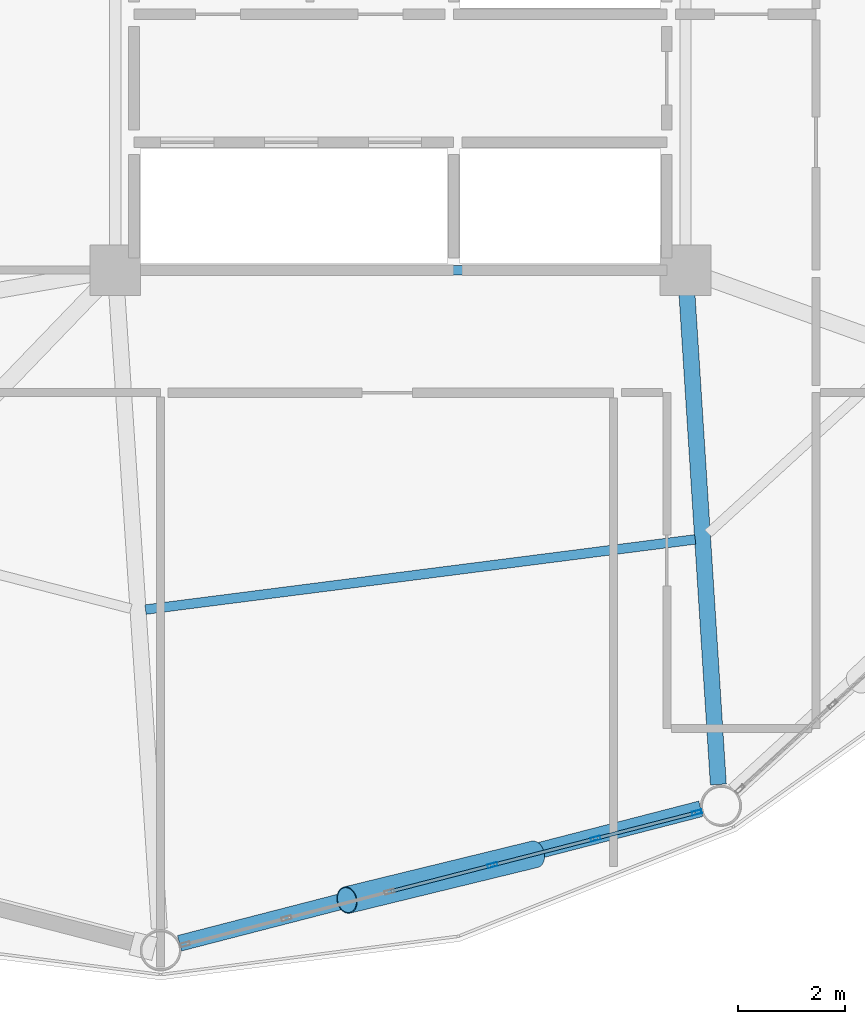
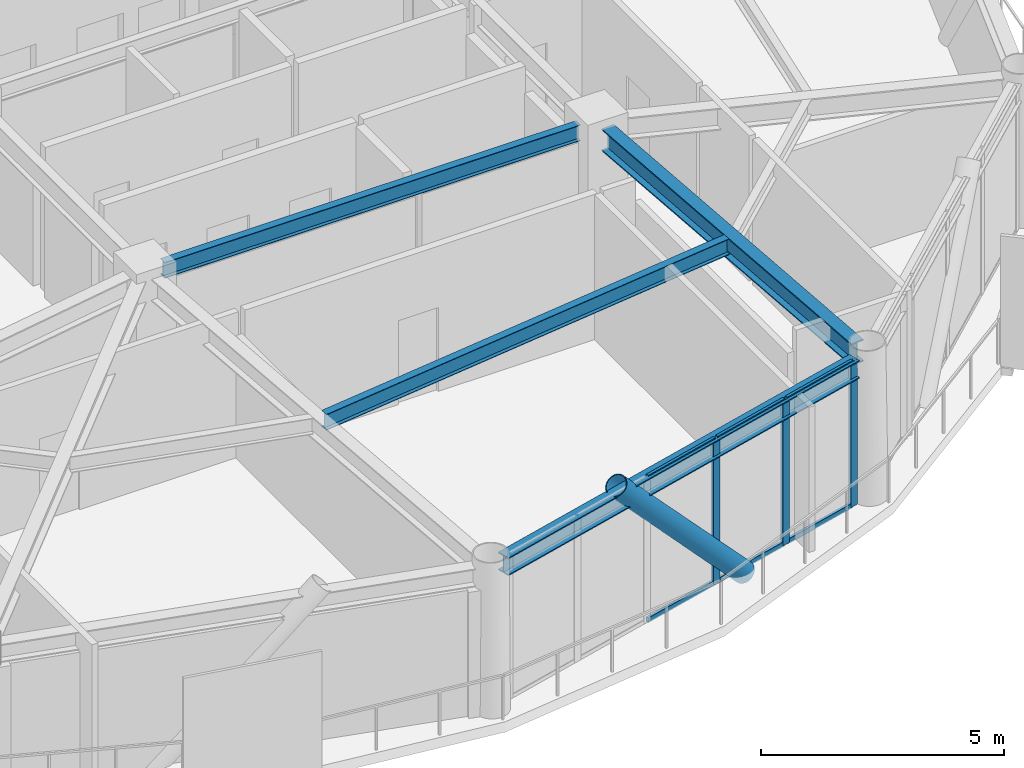
# One storey, part 7 of 25: 10 members, 4 beams, 1 element without a shape of its own.
"""IFC4 building model written with IfcOpenShell, lengths in metres."""

from ifc_helpers import new_model, si_unit, direction, frame, origin, origin_2d, place, context, subcontext, project, spatial, hollow_rectangle, hollow_circle, i_section, extrude, material, layer, layer_set, material_profile, profile_set, type_object, element, aggregate, save


model = new_model("IFC4")

# Units and contexts
model_context = context("Model", 3, precision=1e-05, world=origin(), true_north=direction((0.0, 1.0)))
body_context = subcontext(model_context, "Body", "Model", "MODEL_VIEW")
ifc_project = project(units=[si_unit("LENGTHUNIT", "METRE"), si_unit("AREAUNIT", "SQUARE_METRE"), si_unit("VOLUMEUNIT", "CUBIC_METRE"), si_unit("PLANEANGLEUNIT", "RADIAN"), si_unit("MASSUNIT", "GRAM", prefix="KILO")], contexts=[model_context])

# Site, building, storey
site_placement = place(None, origin())
site = spatial("IfcSite", under=ifc_project, at=site_placement, CompositionType="ELEMENT")
building_placement = place(site_placement, origin())
building = spatial("IfcBuilding", under=site, at=building_placement, Name="Varnakorn Sky Granary", CompositionType="ELEMENT")
storey_placement = place(building_placement, frame((0.0, 0.0, 126.60009765625)))
storey = spatial("IfcBuildingStorey", under=building, at=storey_placement, Name="L31", CompositionType="ELEMENT", Elevation=126.60009765625)

# Beams
ifc_material_1 = material(Name="Steel S355JR", Category="steel")
ifc_material_profile_1 = material_profile(ifc_material_1, i_section(OverallWidth=0.300048828125, OverallDepth=0.550048828125, WebThickness=0.014892578125, FlangeThickness=0.029052734375, at=origin_2d()), Name="HE 550 B")
ifc_profile_set_1 = profile_set([ifc_material_profile_1], Name="Steel S355JR")
beam_type_1 = type_object("IfcBeamType", Name="BM-RAD-Z3", PredefinedType="BEAM", material=ifc_profile_set_1)
beam_1_placement = place(storey_placement, frame((8.376708984375, -7.01904296875, 3.364990234375), z_axis=(0.063841584754, -0.99796004532, 0.0), x_axis=(0.99796004532, 0.063841584754, 0.0)))
element("IfcBeam", 1, at=beam_1_placement, inside=storey, type_object=beam_type_1, Name="Radial Floor Girder RG11 L31", PredefinedType="BEAM", context=body_context, shape_type="SweptSolid", body=[
    extrude(i_section(OverallWidth=0.300048828125, OverallDepth=0.550048828125, WebThickness=0.014892578125, FlangeThickness=0.029052734375, at=origin_2d()), origin(), (0.0, 0.0, 1.0), 9.25439453125),
])
ifc_material_profile_2 = material_profile(ifc_material_1, i_section(OverallWidth=0.179931640625, OverallDepth=0.39990234375, WebThickness=0.008544921875, FlangeThickness=0.013427734375, at=origin_2d()), Name="IPE 400")
ifc_profile_set_2 = profile_set([ifc_material_profile_2], Name="Steel S355JR")
beam_type_2 = type_object("IfcBeamType", Name="BM-SEC-Z3", PredefinedType="BEAM", material=ifc_profile_set_2)
beam_2_placement = place(storey_placement, frame((-1.7841796875, -12.97216796875, 3.43994140625), z_axis=(0.991943567896, 0.126680535635, 0.0), x_axis=(-0.126680535635, 0.991943567896, 0.0)))
element("IfcBeam", 2, at=beam_2_placement, inside=storey, type_object=beam_type_2, Name="Secondary Floor Chord Beam MSB10 L31", PredefinedType="BEAM", context=body_context, shape_type="SweptSolid", body=[
    extrude(i_section(OverallWidth=0.179931640625, OverallDepth=0.39990234375, WebThickness=0.008544921875, FlangeThickness=0.013427734375, at=origin_2d()), origin(), (0.0, 0.0, 1.0), 10.401123046875),
])
beam_3_placement = place(storey_placement, frame((-1.929931640625, -6.60009765625, 3.43994140625), z_axis=(1.0, 0.0, 0.0), x_axis=(0.0, 1.0, 0.0)))
element("IfcBeam", 3, at=beam_3_placement, inside=storey, type_object=beam_type_2, Name="Core Spine Framing Beam 6 L31", PredefinedType="BEAM", context=body_context, shape_type="SweptSolid", body=[
    extrude(i_section(OverallWidth=0.179931640625, OverallDepth=0.39990234375, WebThickness=0.008544921875, FlangeThickness=0.013427734375, at=origin_2d()), origin(), (0.0, 0.0, 1.0), 9.85986328125),
])
ifc_material_profile_3 = material_profile(ifc_material_1, i_section(OverallWidth=0.300048828125, OverallDepth=0.449951171875, WebThickness=0.013916015625, FlangeThickness=0.02587890625, at=origin_2d()), Name="HE 450 B")
ifc_profile_set_3 = profile_set([ifc_material_profile_3], Name="Steel S355JR")
beam_type_3 = type_object("IfcBeamType", Name="BM-SPD-Z3", PredefinedType="SPANDREL", material=ifc_profile_set_3)
beam_4_placement = place(storey_placement, frame((-1.1455078125, -19.234619140625, 3.414794921875), z_axis=(0.968301462066, 0.249784464209, 0.0), x_axis=(-0.249784464209, 0.968301462066, 0.0)))
element("IfcBeam", 4, at=beam_4_placement, inside=storey, type_object=beam_type_3, Name="Perimeter Spandrel Ring Beam RB10 L31", PredefinedType="SPANDREL", context=body_context, shape_type="SweptSolid", body=[
    extrude(i_section(OverallWidth=0.300048828125, OverallDepth=0.449951171875, WebThickness=0.013916015625, FlangeThickness=0.02587890625, at=origin_2d()), origin(), (0.0, 0.0, 1.0), 10.1025390625),
])

# Curtain wall, members
ifc_material_2 = material(Name="Anodised Bronze Aluminium Alloy 6063-T6", Category="aluminium")
ifc_layer = layer(ifc_material_2, 0.179931640625, Name="Anodised Bronze Aluminium Alloy 6063-T6")
ifc_layer_set = layer_set([ifc_layer], Name="Anodised Bronze Aluminium Alloy 6063-T6")
curtain_wall_type = type_object("IfcCurtainWallType", Name="CW-FRM-2", PredefinedType="USERDEFINED", material=ifc_layer_set)
curtain_wall_placement = place(storey_placement, origin())
curtain_wall = element("IfcCurtainWall", 5, at=curtain_wall_placement, inside=storey, type_object=curtain_wall_type, Name="Unitised Curtain Wall CW4 CW-L31-B10", ObjectType="CURTAIN WALL", PredefinedType="USERDEFINED")
ifc_material_profile_4 = material_profile(ifc_material_2, hollow_rectangle(XDim=0.070068359375, YDim=0.18505859375, WallThickness=0.00390625, at=origin_2d()), Name="ALU MULL 70x185")
ifc_profile_set_4 = profile_set([ifc_material_profile_4], Name="Anodised Bronze Aluminium Alloy 6063-T6")
member_type_1 = type_object("IfcMemberType", Name="CW-FRM-2-MULL", PredefinedType="MULLION", material=ifc_profile_set_4)
member_1_placement = place(storey_placement, frame((8.56298828125, -16.7802734375, 0.0), z_axis=(0.0, 0.0, 1.0), x_axis=(0.249579081692, -0.968354419612, 0.0)))
member_1 = element("IfcMember", 6, at=member_1_placement, type_object=member_type_1, Name="CW4 mullion 1", PredefinedType="MULLION", context=body_context, shape_type="SweptSolid", body=[
    extrude(hollow_rectangle(XDim=0.070068359375, YDim=0.18505859375, WallThickness=0.00390625, at=origin_2d()), origin(), (0.0, 0.0, 1.0), 3.639892578125),
])
member_2_placement = place(storey_placement, frame((6.6630859375, -17.27001953125, 0.0), z_axis=(0.0, 0.0, 1.0), x_axis=(0.249579081692, -0.968354419612, 0.0)))
member_2 = element("IfcMember", 7, at=member_2_placement, type_object=member_type_1, Name="CW4 mullion 2", PredefinedType="MULLION", context=body_context, shape_type="SweptSolid", body=[
    extrude(hollow_rectangle(XDim=0.070068359375, YDim=0.18505859375, WallThickness=0.00390625, at=origin_2d()), origin(), (0.0, 0.0, 1.0), 3.639892578125),
])
member_3_placement = place(storey_placement, frame((4.72900390625, -17.7685546875, 0.0), z_axis=(0.0, 0.0, 1.0), x_axis=(0.249579081692, -0.968354419612, 0.0)))
member_3 = element("IfcMember", 8, at=member_3_placement, type_object=member_type_1, Name="CW4 mullion 3", PredefinedType="MULLION", context=body_context, shape_type="SweptSolid", body=[
    extrude(hollow_rectangle(XDim=0.070068359375, YDim=0.18505859375, WallThickness=0.00390625, at=origin_2d()), origin(), (0.0, 0.0, 1.0), 3.639892578125),
])
ifc_material_profile_5 = material_profile(ifc_material_2, hollow_rectangle(XDim=0.06494140625, YDim=0.1201171875, WallThickness=0.00341796875, at=origin_2d()), Name="ALU TRAN 65x120")
ifc_profile_set_5 = profile_set([ifc_material_profile_5], Name="Anodised Bronze Aluminium Alloy 6063-T6")
member_type_2 = type_object("IfcMemberType", Name="CW-FRM-2-TRAN", PredefinedType="USERDEFINED", material=ifc_profile_set_5)
member_4_placement = place(storey_placement, frame((8.529296875, -16.7890625, 0.032470703125), z_axis=(-0.968371905765, -0.249511226452, 0.0), x_axis=(0.249511226452, -0.968371905765, 0.0)))
member_4 = element("IfcMember", 9, at=member_4_placement, type_object=member_type_2, Name="CW4 transom 1.1", ObjectType="TRANSOM", PredefinedType="USERDEFINED", context=body_context, shape_type="SweptSolid", body=[
    extrude(hollow_rectangle(XDim=0.06494140625, YDim=0.1201171875, WallThickness=0.00341796875, at=origin_2d()), origin(), (0.0, 0.0, 1.0), 1.892333984375),
])
member_5_placement = place(storey_placement, frame((8.529296875, -16.7890625, 3.607421875), z_axis=(-0.968371905765, -0.249511226452, 0.0), x_axis=(0.249511226452, -0.968371905765, 0.0)))
member_5 = element("IfcMember", 10, at=member_5_placement, type_object=member_type_2, Name="CW4 transom 1.2", ObjectType="TRANSOM", PredefinedType="USERDEFINED", context=body_context, shape_type="SweptSolid", body=[
    extrude(hollow_rectangle(XDim=0.06494140625, YDim=0.1201171875, WallThickness=0.00341796875, at=origin_2d()), origin(), (0.0, 0.0, 1.0), 1.892333984375),
])
member_6_placement = place(storey_placement, frame((6.629150390625, -17.27880859375, 0.032470703125), z_axis=(-0.968358349316, -0.249563834138, 0.0), x_axis=(0.249563834138, -0.968358349316, 0.0)))
member_6 = element("IfcMember", 11, at=member_6_placement, type_object=member_type_2, Name="CW4 transom 2.1", ObjectType="TRANSOM", PredefinedType="USERDEFINED", context=body_context, shape_type="SweptSolid", body=[
    extrude(hollow_rectangle(XDim=0.06494140625, YDim=0.1201171875, WallThickness=0.00341796875, at=origin_2d()), origin(), (0.0, 0.0, 1.0), 1.92724609375),
])
member_7_placement = place(storey_placement, frame((6.629150390625, -17.27880859375, 3.607421875), z_axis=(-0.968358349316, -0.249563834138, 0.0), x_axis=(0.249563834138, -0.968358349316, 0.0)))
member_7 = element("IfcMember", 12, at=member_7_placement, type_object=member_type_2, Name="CW4 transom 2.2", ObjectType="TRANSOM", PredefinedType="USERDEFINED", context=body_context, shape_type="SweptSolid", body=[
    extrude(hollow_rectangle(XDim=0.06494140625, YDim=0.1201171875, WallThickness=0.00341796875, at=origin_2d()), origin(), (0.0, 0.0, 1.0), 1.92724609375),
])
member_8_placement = place(storey_placement, frame((4.695068359375, -17.77734375, 0.032470703125), z_axis=(-0.968358349316, -0.249563834138, 0.0), x_axis=(0.249563834138, -0.968358349316, 0.0)))
member_8 = element("IfcMember", 13, at=member_8_placement, type_object=member_type_2, Name="CW4 transom 3.1", ObjectType="TRANSOM", PredefinedType="USERDEFINED", context=body_context, shape_type="SweptSolid", body=[
    extrude(hollow_rectangle(XDim=0.06494140625, YDim=0.1201171875, WallThickness=0.00341796875, at=origin_2d()), origin(), (0.0, 0.0, 1.0), 1.92724609375),
])
member_9_placement = place(storey_placement, frame((4.695068359375, -17.77734375, 3.607421875), z_axis=(-0.968358349316, -0.249563834138, 0.0), x_axis=(0.249563834138, -0.968358349316, 0.0)))
member_9 = element("IfcMember", 14, at=member_9_placement, type_object=member_type_2, Name="CW4 transom 3.2", ObjectType="TRANSOM", PredefinedType="USERDEFINED", context=body_context, shape_type="SweptSolid", body=[
    extrude(hollow_rectangle(XDim=0.06494140625, YDim=0.1201171875, WallThickness=0.00341796875, at=origin_2d()), origin(), (0.0, 0.0, 1.0), 1.92724609375),
])
aggregate(curtain_wall, [member_1, member_2, member_3, member_4, member_5, member_6, member_7, member_8, member_9])

# Member
ifc_material_3 = material(Name="Steel S460M", Category="steel")
ifc_material_profile_6 = material_profile(ifc_material_3, hollow_circle(Radius=0.25390625, WallThickness=0.01806640625, at=origin_2d()), Name="CHS 508x18")
ifc_profile_set_6 = profile_set([ifc_material_profile_6], Name="Steel S460M")
member_type_3 = type_object("IfcMemberType", Name="MB-DIAG-T2", PredefinedType="BRACE", material=ifc_profile_set_6)
member_10_placement = place(storey_placement, frame((5.51611328125, -17.565673828125, -0.130126953125), z_axis=(-0.659335647816, -0.160831423458, 0.734445203367), x_axis=(0.23698100599, -0.971514283374, 0.0)))
element("IfcMember", 15, at=member_10_placement, inside=storey, type_object=member_type_3, Name="Perimeter CHS Diagrid Brace DG10 L31", PredefinedType="BRACE", context=body_context, shape_type="SweptSolid", body=[
    extrude(hollow_circle(Radius=0.25390625, WallThickness=0.01806640625, at=origin_2d()), origin(), (0.0, 0.0, 1.0), 5.337158203125),
])

save(model, "model.ifc")
